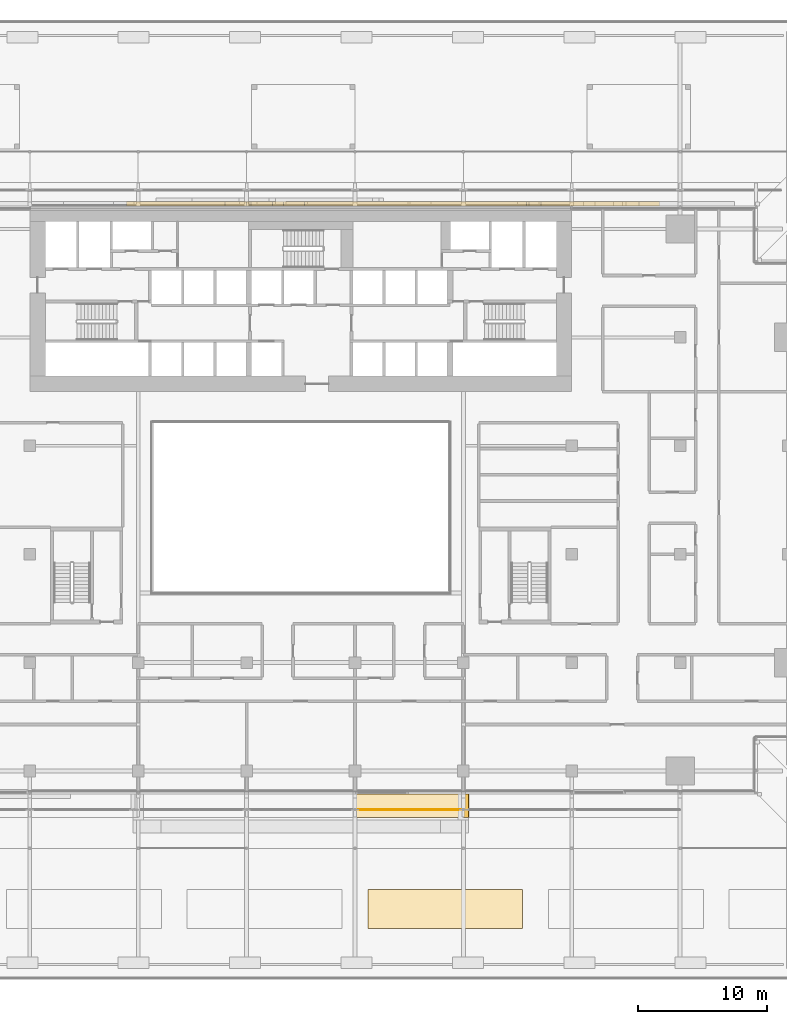
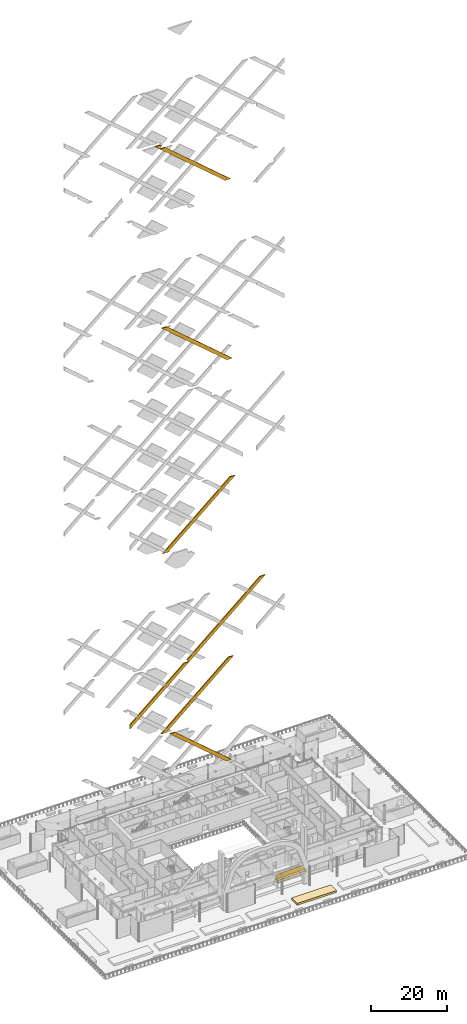
# One storey, part 48 of 60: 9 coverings, 1 railing.
"""IFC4 building model written with IfcOpenShell, lengths in metres."""

from ifc_helpers import new_model, si_unit, direction, frame, origin, origin_2d, place, context, subcontext, project, spatial, polyline, rectangle, outline, extrude, material, layer, layer_set, type_object, element, save


model = new_model("IFC4")

# Units and contexts
model_context = context("Model", 3, precision=1e-05, world=origin(), true_north=direction((0.0, 1.0)))
body_context = subcontext(model_context, "Body", "Model", "MODEL_VIEW")
ifc_project = project(units=[si_unit("LENGTHUNIT", "METRE"), si_unit("AREAUNIT", "SQUARE_METRE"), si_unit("VOLUMEUNIT", "CUBIC_METRE"), si_unit("PLANEANGLEUNIT", "RADIAN"), si_unit("MASSUNIT", "GRAM", prefix="KILO")], contexts=[model_context])

# Site, building, storey
site_placement = place(None, origin())
site = spatial("IfcSite", under=ifc_project, at=site_placement, CompositionType="ELEMENT")
building_placement = place(site_placement, origin())
building = spatial("IfcBuilding", under=site, at=building_placement, Name="Saffron Gate Tower", CompositionType="ELEMENT")
storey_placement = place(building_placement, frame((0.0, 0.0, 19.199951171875)))
storey = spatial("IfcBuildingStorey", under=building, at=storey_placement, Name="L03", CompositionType="ELEMENT", Elevation=19.199951171875)

# Coverings
ifc_material_1 = material(Name="Timber, thermally modified ash", Category="wood")
ifc_layer_1 = layer(ifc_material_1, 0.800048828125)
ifc_layer_set_1 = layer_set([ifc_layer_1], Name="LD1 ledge timber")
covering_type_1 = type_object("IfcCoveringType", Name="LD1 ledge timber", PredefinedType="CLADDING", material=ifc_layer_set_1)
covering_1_placement = place(storey_placement, frame((91.800048828125, 30.0, 3.13037109375), z_axis=(-0.028791175352, 0.0, 0.999585448184), x_axis=(0.999585448184, 0.0, 0.028791175352)))
element("IfcCovering", 1, at=covering_1_placement, inside=storey, type_object=covering_type_1, Name="LEDGE", PredefinedType="CLADDING", context=body_context, shape_type="SweptSolid", body=[
    extrude(outline(polyline([(0.0, 0.0), (8.403385982666892, 0.0), (8.403385982666892, -1.800048828125), (0.0, -1.800048828125), (0.0, 0.0)])), origin(), (0.0, 0.0, -1.0), 0.800048828125),
])
covering_2_placement = place(storey_placement, frame((100.199951171875, 30.0, 3.603515625), z_axis=(-0.028664238881, 0.0, 0.999589096284), x_axis=(0.999589096284, 0.0, 0.028664238881)))
element("IfcCovering", 2, at=covering_2_placement, inside=storey, type_object=covering_type_1, Name="LEDGE", PredefinedType="CLADDING", context=body_context, shape_type="SweptSolid", body=[
    extrude(outline(polyline([(0.0, 0.0), (0.40031097364171886, 0.0), (0.40031097364171886, -1.8000488281250004), (0.0, -1.8000488281250004), (0.0, 0.0)])), origin(), (0.0, 0.0, -1.0), 0.800048828125),
])

# Railing
railing_type = type_object("IfcRailingType", Name="LG1 ledge balustrade", PredefinedType="BALUSTRADE", material=ifc_material_1)
railing_placement = place(storey_placement, frame((91.800048828125, 28.800048828125, 3.13037109375)))
element("IfcRailing", 3, at=railing_placement, inside=storey, type_object=railing_type, Name="LEDGE BALUSTRADE", PredefinedType="BALUSTRADE", context=body_context, shape_type="SweptSolid", body=[
    extrude(rectangle(XDim=0.06005859375, YDim=1.60009765625, at=origin_2d()), frame((0.0, 0.0, 0.800048828125), z_axis=(0.999585448184, 0.0, 0.028791175352), x_axis=(0.0, 1.0, 0.0)), (0.0, 0.0, 1.0), 8.4033203125),
])

# Coverings
ifc_material_2 = material(Name="Ceramic-printed bronze insulated panel")
ifc_layer_2 = layer(ifc_material_2, 0.35009765625)
ifc_layer_set_2 = layer_set([ifc_layer_2], Name="LZ1 lozenge lattice bar 1600")
covering_type_2 = type_object("IfcCoveringType", Name="LZ1 lozenge lattice bar 1600", PredefinedType="CLADDING", material=ifc_layer_set_2)
covering_3_placement = place(storey_placement, frame((104.760009765625, 75.949951171875, 196.320068359375), z_axis=(0.0, 1.0, 0.0), x_axis=(-1.0, 0.0, 0.0)))
element("IfcCovering", 4, at=covering_3_placement, inside=storey, type_object=covering_type_2, Name="CLADDING lozenge lattice bar", PredefinedType="CLADDING", context=body_context, shape_type="SweptSolid", body=[
    extrude(outline(polyline([(0.0, 0.0), (1.60009765625, 0.0), (23.015625, 18.356201171875), (21.360107421875, 18.30859375), (20.876708984375, 17.894287109375), (21.360107421875, 17.908203125), (21.360107421875, 17.108154296875), (19.910888671875, 17.06640625), (0.0, 0.0)])), origin(), (0.0, 0.0, -1.0), 0.35009765625),
])
covering_4_placement = place(storey_placement, frame((105.284912109375, 75.949951171875, 138.27001953125), z_axis=(0.0, 1.0, 0.0), x_axis=(-1.0, 0.0, 0.0)))
element("IfcCovering", 5, at=covering_4_placement, inside=storey, type_object=covering_type_2, Name="CLADDING lozenge lattice bar", PredefinedType="CLADDING", context=body_context, shape_type="SweptSolid", body=[
    extrude(outline(polyline([(0.0, 0.0), (1.599853515625, 0.0), (21.548095703125, 17.0986328125), (19.892578125, 17.05078125), (0.885009765625, 0.758544921875), (0.885009765625, 0.580078125), (0.676513671875, 0.580078125), (0.0, 0.0)])), origin(), (0.0, 0.0, -1.0), 0.35009765625),
])
covering_5_placement = place(storey_placement, frame((105.085205078125, 75.949951171875, 8.84130859375), z_axis=(0.0, 1.0, 0.0), x_axis=(-0.999582655558, 0.0, 0.028887968223)))
element("IfcCovering", 6, at=covering_5_placement, inside=storey, type_object=covering_type_2, Name="CLADDING lozenge lattice bar", PredefinedType="CLADDING", context=body_context, shape_type="SweptSolid", body=[
    extrude(outline(polyline([(0.0, 0.0), (1.6564530302159628, 0.0), (19.257605972559958, 14.22550273136372), (17.60140403380488, 14.225739717371372), (0.0, 0.0)])), origin(), (0.0, 0.0, -1.0), 0.35009765625),
])
covering_6_placement = place(storey_placement, frame((85.12451171875, 75.949951171875, 24.44970703125), z_axis=(0.0, 1.0, 0.0), x_axis=(-0.999588349125, 0.0, 0.028690282217)))
element("IfcCovering", 7, at=covering_6_placement, inside=storey, type_object=covering_type_2, Name="CLADDING lozenge lattice bar", PredefinedType="CLADDING", context=body_context, shape_type="SweptSolid", body=[
    extrude(outline(polyline([(0.0, 0.0), (1.5487332405187242, 0.0), (-18.511773814228413, 18.218783574526814), (-20.06051405921057, 18.218539534402517), (0.0, 0.0)])), origin(), (0.0, 0.0, -1.0), 0.35009765625),
])
covering_7_placement = place(storey_placement, frame((74.10009765625, 75.949951171875, 29.400146484375), z_axis=(0.0, 1.0, 0.0), x_axis=(0.0, 0.0, 1.0)))
element("IfcCovering", 8, at=covering_7_placement, inside=storey, type_object=covering_type_2, Name="CLADDING lozenge lattice bar", PredefinedType="CLADDING", context=body_context, shape_type="SweptSolid", body=[
    extrude(outline(polyline([(0.0, 0.0), (1.371337890625, 0.0), (15.5205078125, 16.50732421875), (15.486083984375, 17.699951171875), (16.2861328125, 17.699951171875), (16.29443359375, 17.410400390625), (35.39990234375, 39.699951171875), (35.39990234375, 41.2998046875), (0.0, 0.0)])), origin(), (0.0, 0.0, -1.0), 0.35009765625),
])
covering_8_placement = place(storey_placement, frame((85.63232421875, 75.949951171875, 82.48486328125), z_axis=(0.0, 1.0, 0.0), x_axis=(-0.999583684676, 0.0, 0.02885233664)))
element("IfcCovering", 9, at=covering_8_placement, inside=storey, type_object=covering_type_2, Name="CLADDING lozenge lattice bar", PredefinedType="CLADDING", context=body_context, shape_type="SweptSolid", body=[
    extrude(outline(polyline([(0.0, 0.0), (1.5484962252077255, 0.0), (-18.508819913760924, 18.221784492320396), (-20.057553133926664, 18.22203557533341), (0.0, 0.0)])), origin(), (0.0, 0.0, -1.0), 0.35009765625),
])
ifc_material_3 = material(Name="Planted soil bed in timber kerb", Category="wood")
ifc_layer_3 = layer(ifc_material_3, 0.60009765625)
ifc_layer_set_3 = layer_set([ifc_layer_3], Name="PL2 planted bed")
covering_type_3 = type_object("IfcCoveringType", Name="PL2 planted bed", PredefinedType="CLADDING", material=ifc_layer_set_3)
covering_9_placement = place(storey_placement, origin())
element("IfcCovering", 10, at=covering_9_placement, inside=storey, type_object=covering_type_3, Name="PLANTED BED play deck", PredefinedType="CLADDING", context=body_context, shape_type="SweptSolid", body=[
    extrude(outline(polyline([(92.800048828125, 19.60009765625), (104.800048828125, 19.60009765625), (104.800048828125, 22.60009765625), (92.800048828125, 22.60009765625), (92.800048828125, 19.60009765625)])), origin(), (0.0, 0.0, 1.0), 0.60009765625),
])

save(model, "model.ifc")
